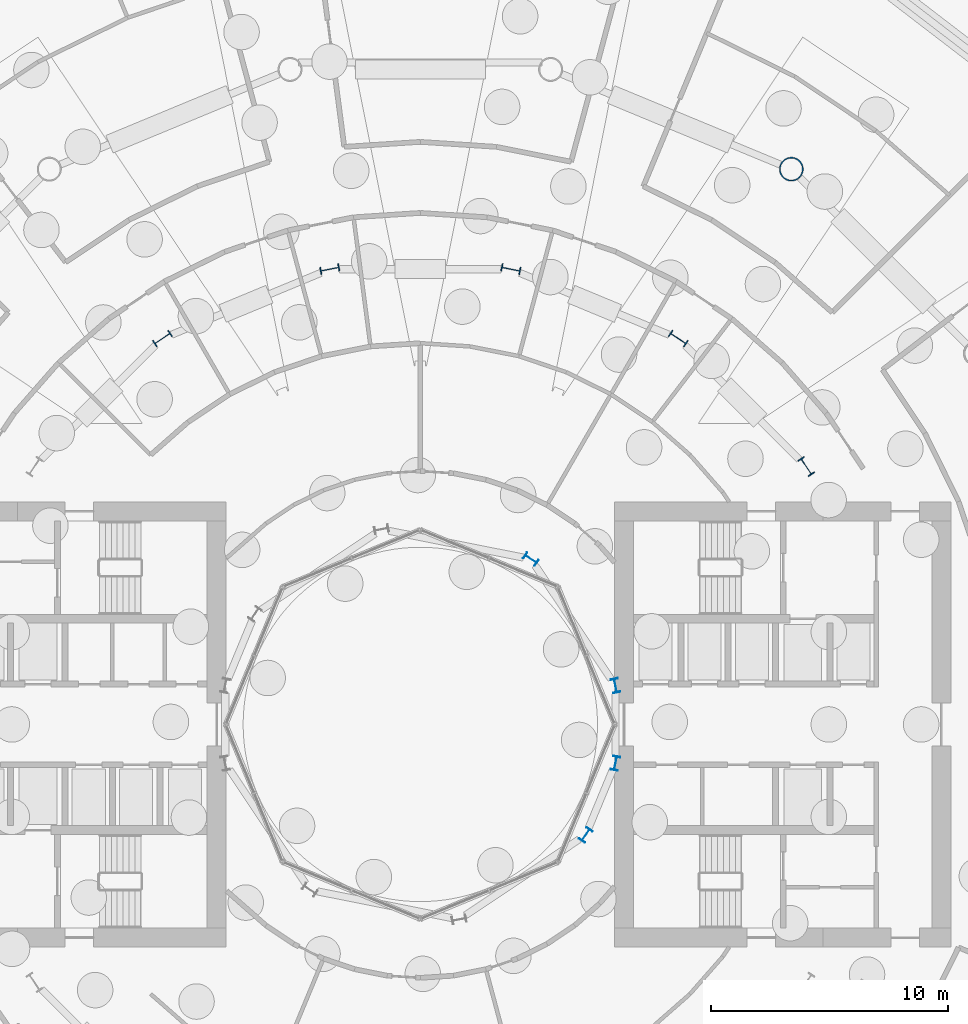
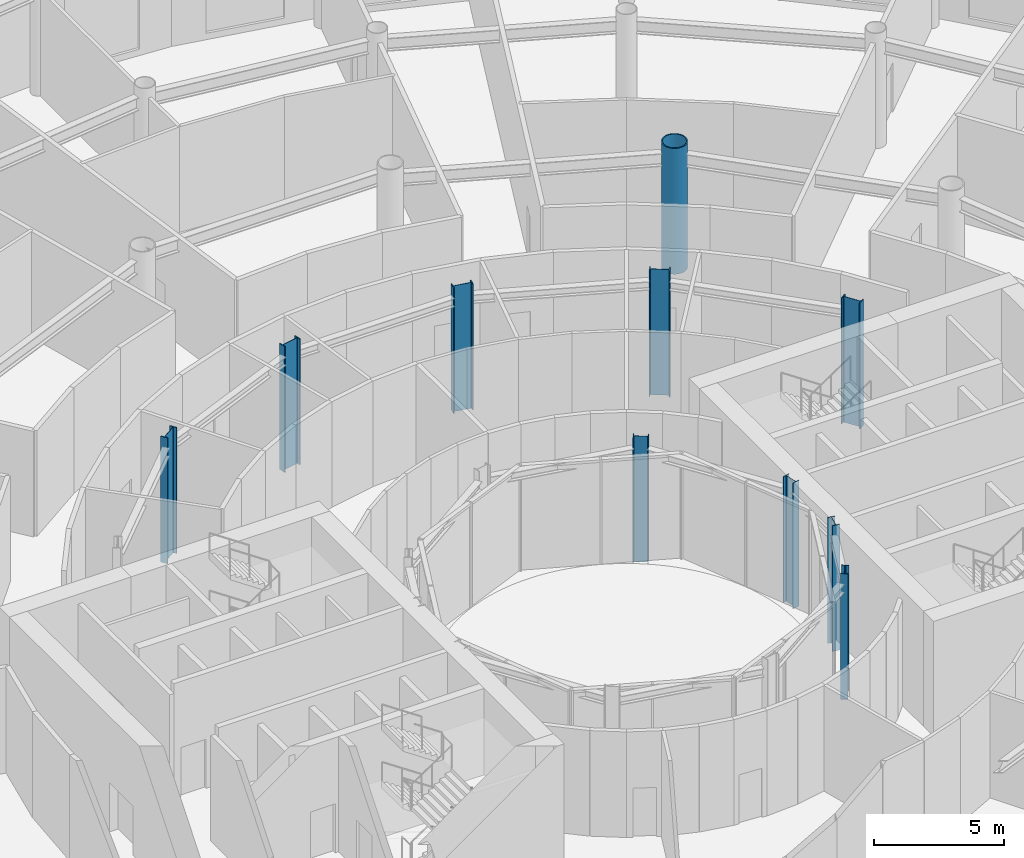
# One storey, part 8 of 41: 10 columns.
"""IFC4 building model written with IfcOpenShell, lengths in metres."""

import ifcopenshell
import ifcopenshell.guid

model = None  # the IFC model being written
_history = None  # IfcOwnerHistory: only IFC2X3 demands one
_inside = {}  # id of a spatial element -> (the spatial element, [elements in it])
_under = {}  # id of a project, library or spatial element -> (it, [spatial elements below it])
_declared = {}  # id of a project -> (the project, [libraries it declares])
_typed = {}  # id of a type object -> (the type object, [elements of that type])
_made_of = {}  # id of a material, layer set ... -> (it, [elements and type objects made of it])


def new_model(schema):
    """Start an empty IFC model of exactly this schema.

    Asked for "IFC4X3", IfcOpenShell would pick the latest addendum, in which some entities
    have other attributes; the version numbers below select the first issue.
    IFC2X3 requires an IfcOwnerHistory on every rooted entity: one is made here for all.
    """
    global model, _history
    if schema == "IFC4X3":
        model = ifcopenshell.file(schema_version=(4, 3, 0, 0))
    else:
        model = ifcopenshell.file(schema=schema)
    _inside.clear()
    _under.clear()
    _declared.clear()
    _typed.clear()
    _made_of.clear()
    _history = None
    if model.schema == "IFC2X3":
        org = make("IfcOrganization", Name="unknown")
        user = make(
            "IfcPersonAndOrganization",
            ThePerson=make("IfcPerson", FamilyName="unknown"),
            TheOrganization=org,
        )
        app = make(
            "IfcApplication",
            ApplicationDeveloper=org,
            Version="unknown",
            ApplicationFullName="unknown",
            ApplicationIdentifier="unknown",
        )
        _history = make(
            "IfcOwnerHistory",
            OwningUser=user,
            OwningApplication=app,
            ChangeAction="ADDED",
            CreationDate=0,
        )
    return model


def make(cls, **values):
    """One entity of the class cls with the attributes given. An attribute that is None is left unset."""
    return model.create_entity(
        cls, **{name: value for name, value in values.items() if value is not None}
    )


def rooted(cls, **values):
    """An entity with a GlobalId (a new one), such as an element, a storey or a relation."""
    return make(cls, GlobalId=ifcopenshell.guid.new(), OwnerHistory=_history, **values)


def si_unit(unit_type, name, prefix=None):
    """IfcSIUnit, for example si_unit("LENGTHUNIT", "METRE", prefix="MILLI")."""
    return make("IfcSIUnit", UnitType=unit_type, Prefix=prefix, Name=name)


def assignment(units):
    """IfcUnitAssignment: the units of a project."""
    return None if units is None else make("IfcUnitAssignment", Units=units)


def point(xyz):
    """IfcCartesianPoint."""
    return None if xyz is None else make("IfcCartesianPoint", Coordinates=xyz)


def direction(xyz):
    """IfcDirection."""
    return None if xyz is None else make("IfcDirection", DirectionRatios=xyz)


def frame(location, z_axis=None, x_axis=None):
    """IfcAxis2Placement3D, a coordinate frame: its origin and axes. An axis left out is left unset."""
    return make(
        "IfcAxis2Placement3D",
        Location=point(location),
        Axis=direction(z_axis),
        RefDirection=direction(x_axis),
    )


def frame_2d(location, x_axis=None):
    """IfcAxis2Placement2D, a coordinate frame in the plane: its origin and x axis."""
    return make(
        "IfcAxis2Placement2D", Location=point(location), RefDirection=direction(x_axis)
    )


def origin():
    """The frame at (0, 0, 0) with its axes left unset."""
    return frame((0.0, 0.0, 0.0))


def origin_2d():
    """The frame at (0, 0) in the plane with its x axis left unset."""
    return frame_2d((0.0, 0.0))


def place(relative_to, where):
    """IfcLocalPlacement: puts the frame where relative to a parent placement (None: the world)."""
    return make(
        "IfcLocalPlacement", PlacementRelTo=relative_to, RelativePlacement=where
    )


def context(
    kind, dimensions, precision=None, world=None, true_north=None, identifier=None
):
    """IfcGeometricRepresentationContext, for example the 3D "Model" context."""
    return make(
        "IfcGeometricRepresentationContext",
        ContextIdentifier=identifier,
        ContextType=kind,
        CoordinateSpaceDimension=dimensions,
        Precision=precision,
        WorldCoordinateSystem=world,
        TrueNorth=true_north,
    )


def subcontext(parent, identifier, kind, view, scale=None):
    """IfcGeometricRepresentationSubContext, for example "Body" below "Model"."""
    return make(
        "IfcGeometricRepresentationSubContext",
        ContextIdentifier=identifier,
        ContextType=kind,
        ParentContext=parent,
        TargetScale=scale,
        TargetView=view,
    )


def project(units=None, contexts=None):
    """IfcProject with its units and contexts."""
    return rooted(
        "IfcProject",
        Name="project",
        RepresentationContexts=contexts,
        UnitsInContext=assignment(units),
    )


def spatial(cls, under=None, at=None, **own):
    """A site, building, storey or space (cls), placed at a placement, below another one or the project."""
    s = rooted(cls, ObjectPlacement=at, **own)
    if under is not None:
        _under.setdefault(under.id(), (under, []))[1].append(s)
    return s


def profile(cls, at=None, kind="AREA", **sizes):
    """A parametric profile (cls). Its sizes go by their IFC names, for example OverallWidth=200.0."""
    return make(cls, ProfileType=kind, Position=at, **sizes)


def hollow_circle(**sizes):
    """IfcCircleHollowProfileDef."""
    return profile("IfcCircleHollowProfileDef", **sizes)


def i_section(**sizes):
    """IfcIShapeProfileDef."""
    return profile("IfcIShapeProfileDef", **sizes)


def extrude(swept, where, along, depth):
    """IfcExtrudedAreaSolid: the profile swept, set in the frame where, extruded along a direction by depth."""
    return make(
        "IfcExtrudedAreaSolid",
        SweptArea=swept,
        Position=where,
        ExtrudedDirection=direction(along),
        Depth=depth,
    )


def shape(context_of_items, identifier, shape_type, items):
    """IfcShapeRepresentation: the items that make up one representation, for example the "Body"."""
    return make(
        "IfcShapeRepresentation",
        ContextOfItems=context_of_items,
        RepresentationIdentifier=identifier,
        RepresentationType=shape_type,
        Items=items,
    )


def material(Name=None, Category=None):
    """IfcMaterial."""
    return make("IfcMaterial", Name=Name, Category=Category)


def material_profile(
    of_material, cross_section, Name=None, Category=None, Priority=None
):
    """IfcMaterialProfile: a cross section and its material."""
    return make(
        "IfcMaterialProfile",
        Name=Name,
        Material=of_material,
        Profile=cross_section,
        Priority=Priority,
        Category=Category,
    )


def profile_set(profiles, Name=None, composite=None):
    """IfcMaterialProfileSet."""
    return make(
        "IfcMaterialProfileSet",
        Name=Name,
        MaterialProfiles=profiles,
        CompositeProfile=composite,
    )


def made_of(thing, what):
    """Note that an element or type object is made of a material, layer set ...; save() writes the relation."""
    if what is not None:
        _made_of.setdefault(what.id(), (what, []))[1].append(thing)
    return thing


def type_object(cls, material=None, **own):
    """A type object (cls), such as IfcWallType, which elements share."""
    return made_of(rooted(cls, **own), material)


def element(
    cls,
    number,
    at=None,
    inside=None,
    cuts=None,
    type_object=None,
    material=None,
    context=None,
    identifier="Body",
    shape_type=None,
    held_by="IfcProductDefinitionShape",
    body=None,
    shapes=None,
    **own,
):
    """One element of the class cls, such as IfcWall. Its Tag is "e" and its number.

    at: its placement. inside: the storey or other place that contains it. cuts: it is an
    opening in that element (IfcRelVoidsElement). A single representation is given by context,
    identifier, shape_type and body (its items); several are given by shapes. held_by: the class
    of the entity that holds the representations. save() writes the other relations.
    """
    e = rooted(cls, Tag="e%d" % number, ObjectPlacement=at, **own)
    if body is not None:
        shapes = [shape(context, identifier, shape_type, body)]
    if shapes is not None:
        e.Representation = make(held_by, Representations=shapes)
    if inside is not None:
        _inside.setdefault(inside.id(), (inside, []))[1].append(e)
    if cuts is not None:
        rooted(
            "IfcRelVoidsElement", RelatingBuildingElement=cuts, RelatedOpeningElement=e
        )
    if type_object is not None:
        _typed.setdefault(type_object.id(), (type_object, []))[1].append(e)
    return made_of(e, material)


def aggregate(whole, parts):
    """IfcRelAggregates: a whole, such as a stair, and the parts it consists of."""
    return rooted("IfcRelAggregates", RelatingObject=whole, RelatedObjects=parts)


def save(model, path):
    """Write the relations noted so far, then the file.

    IfcRelAggregates (storeys below a building ...), IfcRelContainedInSpatialStructure (elements
    in a storey), IfcRelDefinesByType, IfcRelAssociatesMaterial and IfcRelDeclares: one each for
    every whole, place, type object, material and project.
    """
    for whole, parts in _under.values():
        aggregate(whole, parts)
    for where, things in _inside.values():
        rooted(
            "IfcRelContainedInSpatialStructure",
            RelatedElements=things,
            RelatingStructure=where,
        )
    for kind, things in _typed.values():
        rooted("IfcRelDefinesByType", RelatedObjects=things, RelatingType=kind)
    for what, things in _made_of.values():
        rooted("IfcRelAssociatesMaterial", RelatedObjects=things, RelatingMaterial=what)
    for by, libraries in _declared.values():
        rooted("IfcRelDeclares", RelatingContext=by, RelatedDefinitions=libraries)
    model.write(path)


model = new_model("IFC4")

# Units and contexts
model_context = context("Model", 3, precision=1e-05, world=origin(), true_north=direction((0.0, 1.0)))
body_context = subcontext(model_context, "Body", "Model", "MODEL_VIEW")
ifc_project = project(units=[si_unit("LENGTHUNIT", "METRE"), si_unit("AREAUNIT", "SQUARE_METRE"), si_unit("VOLUMEUNIT", "CUBIC_METRE"), si_unit("PLANEANGLEUNIT", "RADIAN"), si_unit("MASSUNIT", "GRAM", prefix="KILO")], contexts=[model_context])

# Site, building, storey
site_placement = place(None, origin())
site = spatial("IfcSite", under=ifc_project, at=site_placement, CompositionType="ELEMENT")
building_placement = place(site_placement, origin())
building = spatial("IfcBuilding", under=site, at=building_placement, Name="Maasbend Ring Residences", CompositionType="ELEMENT")
storey_placement = place(building_placement, origin())
storey = spatial("IfcBuildingStorey", under=building, at=storey_placement, Name="L00", CompositionType="ELEMENT", Elevation=0.0)

# Columns
ifc_material_1 = material(Name="Composite concrete-filled steel tube S460NH / C80/95", Category="concrete")
ifc_material_profile_1 = material_profile(ifc_material_1, hollow_circle(Radius=0.508056640625, WallThickness=0.050048828125, at=origin_2d()), Name="Composite tube column CHS 1016x50")
ifc_profile_set_1 = profile_set([ifc_material_profile_1], Name="Composite concrete-filled steel tube S460NH / C80/95")
column_type_1 = type_object("IfcColumnType", Name="Composite tube column CHS 1016x50", PredefinedType="COLUMN", material=ifc_profile_set_1)
column_placement = place(storey_placement, frame((15.6669921875, 23.447509765625, -0.5), z_axis=(0.0, 0.0, 1.0), x_axis=(1.0, 0.0, 0.0)))
element("IfcColumn", 1, at=column_placement, inside=storey, type_object=column_type_1, Name="Outer column R3", PredefinedType="COLUMN", context=body_context, shape_type="SweptSolid", body=[
    extrude(hollow_circle(Radius=0.508056640625, WallThickness=0.050048828125, at=origin_2d()), origin(), (0.0, 0.0, 1.0), 5.89990234375),
])
ifc_material_2 = material(Name="Steel S460M", Category="steel")
ifc_material_profile_2 = material_profile(ifc_material_2, i_section(OverallWidth=0.300048828125, OverallDepth=0.60009765625, WebThickness=0.015380859375, FlangeThickness=0.030029296875, FilletRadius=0.027099609375, at=origin_2d()), Name="HEB 600")
ifc_profile_set_2 = profile_set([ifc_material_profile_2], Name="Steel S460M")
column_type_2 = type_object("IfcColumnType", Name="Steel column HEB 600", PredefinedType="COLUMN", material=ifc_profile_set_2)
for number, where, z_axis, x_axis, name in (
    (2, (8.238525390625, 1.638916015625, -0.5), (0.0, 0.0, 1.0), (0.980785280403, 0.195090322016, 0.0), "Well ring column R1"),
    (3, (4.666748046875, 6.984375, -0.5), (0.0, 0.0, 1.0), (0.55557023302, 0.831469612303, 0.0), "Well ring column R3"),
    (4, (6.984375, -4.666748046875, -0.5), (0.0, 0.0, 1.0), (0.831469612303, -0.55557023302, 0.0), "Well ring column R15"),
    (5, (8.238525390625, -1.638916015625, -0.5), (0.0, 0.0, 1.0), (0.980785280403, -0.195090322016, 0.0), "Well ring column R16"),
):
    element("IfcColumn", number, at=place(storey_placement, frame(where, z_axis=z_axis, x_axis=x_axis)), inside=storey, type_object=column_type_2, Name=name, PredefinedType="COLUMN", context=body_context, shape_type="SweptSolid", body=[
        extrude(i_section(OverallWidth=0.300048828125, OverallDepth=0.60009765625, WebThickness=0.015380859375, FlangeThickness=0.030029296875, FilletRadius=0.027099609375, at=origin_2d()), origin(), (0.0, 0.0, 1.0), 5.89990234375),
    ])
ifc_material_3 = material(Name="Steel S460M", Category="steel")
ifc_material_profile_3 = material_profile(ifc_material_3, i_section(OverallWidth=0.302978515625, OverallDepth=0.81396484375, WebThickness=0.02099609375, FlangeThickness=0.0400390625, FilletRadius=0.030029296875, at=origin_2d()), Name="HEM 800")
ifc_profile_set_3 = profile_set([ifc_material_profile_3], Name="Steel S460M")
column_type_3 = type_object("IfcColumnType", Name="Steel column HEM 800", PredefinedType="COLUMN", material=ifc_profile_set_3)
for number, where, z_axis, x_axis, name in (
    (6, (16.296875, 10.88916015625, -0.5), (0.0, 0.0, 1.0), (0.831469612303, 0.55557023302, 0.0), "Corridor ring column R2"),
    (7, (10.88916015625, 16.296875, -0.5), (0.0, 0.0, 1.0), (0.55557023302, 0.831469612303, 0.0), "Corridor ring column R3"),
    (8, (3.82373046875, 19.223388671875, -0.5), (0.0, 0.0, 1.0), (0.195090322016, 0.980785280403, 0.0), "Corridor ring column R4"),
    (9, (-3.82373046875, 19.223388671875, -0.5), (0.0, 0.0, 1.0), (-0.195090322016, 0.980785280403, 0.0), "Corridor ring column R5"),
    (10, (-10.88916015625, 16.296875, -0.5), (0.0, 0.0, 1.0), (-0.55557023302, 0.831469612303, 0.0), "Corridor ring column R6"),
):
    element("IfcColumn", number, at=place(storey_placement, frame(where, z_axis=z_axis, x_axis=x_axis)), inside=storey, type_object=column_type_3, Name=name, PredefinedType="COLUMN", context=body_context, shape_type="SweptSolid", body=[
        extrude(i_section(OverallWidth=0.302978515625, OverallDepth=0.81396484375, WebThickness=0.02099609375, FlangeThickness=0.0400390625, FilletRadius=0.030029296875, at=origin_2d()), origin(), (0.0, 0.0, 1.0), 5.89990234375),
    ])

save(model, "model.ifc")
